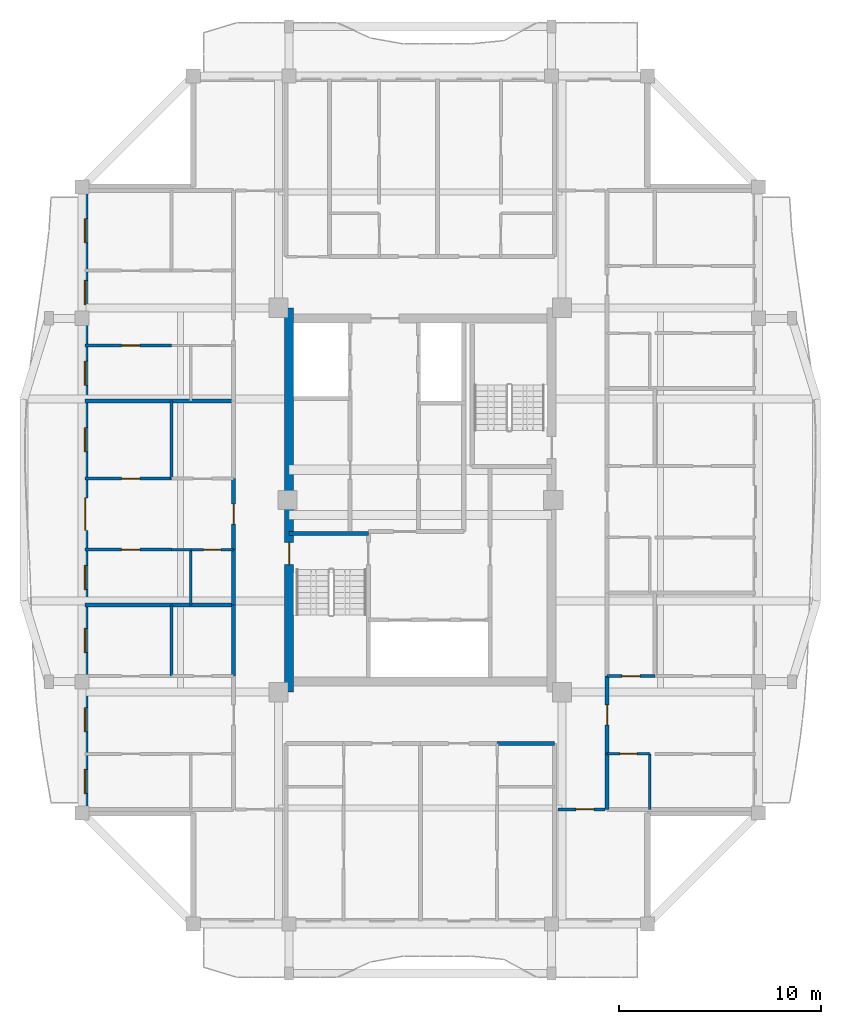
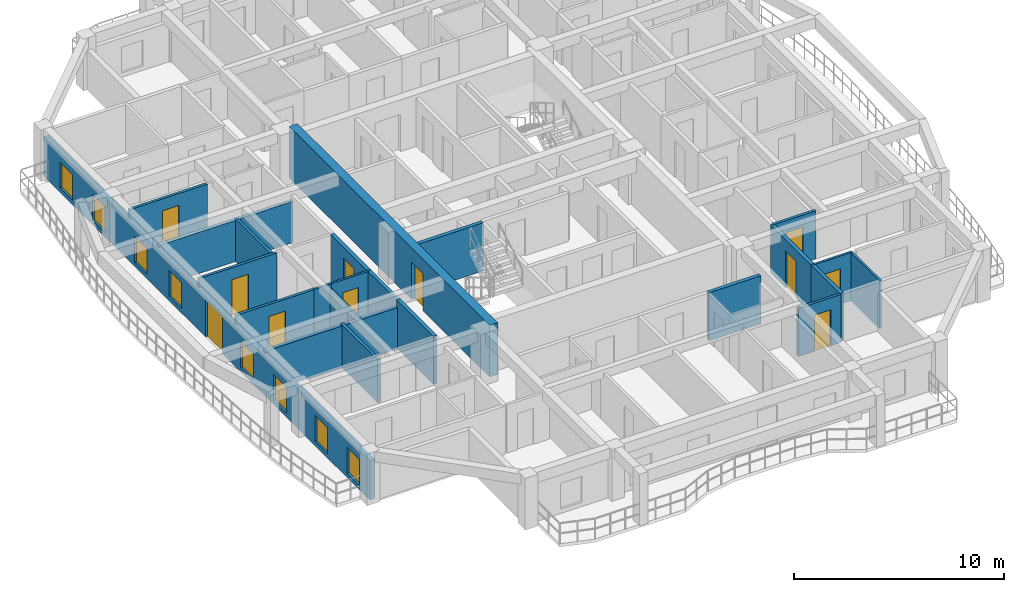
# One storey, part 3 of 13: 23 walls, 11 doors, 8 windows, 19 openings.
"""IFC4 building model written with IfcOpenShell, lengths in metres."""

from ifc_helpers import new_model, si_unit, direction, frame, frame_2d, origin, place, context, subcontext, project, spatial, rectangle, extrude, source, transform, mapped, material, layer, layer_set, type_object, element, fill, save


model = new_model("IFC4")

# Units and contexts
model_context = context("Model", 3, precision=1e-05, world=origin(), true_north=direction((0.0, 1.0)))
body_context = subcontext(model_context, "Body", "Model", "MODEL_VIEW")
ifc_project = project(units=[si_unit("LENGTHUNIT", "METRE"), si_unit("AREAUNIT", "SQUARE_METRE"), si_unit("VOLUMEUNIT", "CUBIC_METRE"), si_unit("PLANEANGLEUNIT", "RADIAN"), si_unit("MASSUNIT", "GRAM", prefix="KILO")], contexts=[model_context])

# Site, building, storey
site_placement = place(None, origin())
site = spatial("IfcSite", under=ifc_project, at=site_placement, CompositionType="ELEMENT")
building_placement = place(site_placement, origin())
building = spatial("IfcBuilding", under=site, at=building_placement, Name="Saelheon Loggia Tower", CompositionType="ELEMENT")
storey_placement = place(building_placement, frame((0.0, 0.0, 220.199951171875)))
storey = spatial("IfcBuildingStorey", under=building, at=storey_placement, Name="L68", CompositionType="ELEMENT", Elevation=220.199951171875)

# Wall, opening, door
ifc_material_1 = material(Name="Concrete C45/55", Category="concrete")
ifc_layer_1 = layer(ifc_material_1, 0.449951171875)
ifc_layer_set_1 = layer_set([ifc_layer_1], Name="Concrete C45/55")
wall_type_1 = type_object("IfcWallType", Name="Wall_CoreShear_450", PredefinedType="SHEAR", material=ifc_layer_set_1)
wall_1_placement = place(storey_placement, frame((31.5, 17.47998046875, 0.0), z_axis=(0.0, 0.0, 1.0), x_axis=(0.0, 1.0, 0.0)))
wall_1 = element("IfcWall", 1, at=wall_1_placement, inside=storey, type_object=wall_type_1, Name="L68 Core Shear Wall West", PredefinedType="SHEAR", context=body_context, shape_type="SweptSolid", body=[
    extrude(rectangle(XDim=19.0400390625, YDim=0.449951171875, at=frame_2d((9.52001953125, 0.0))), origin(), (0.0, 0.0, 1.0), 3.0),
])
opening_1_placement = place(wall_1_placement, frame((6.320068359375, 0.0, 0.0)))
opening_1 = element("IfcOpeningElement", 2, at=opening_1_placement, cuts=wall_1, Name="Opening D-FD2", PredefinedType="OPENING", context=body_context, shape_type="SweptSolid", body=[
    extrude(rectangle(XDim=1.10009765625, YDim=2.14990234375, at=frame_2d((0.550048828125, 1.074951171875))), frame((0.0, 0.237060546875, 0.0), z_axis=(0.0, -1.0, 0.0), x_axis=(1.0, 0.0, 0.0)), (0.0, 0.0, 1.0), 0.473876953125),
])
ifc_material_2 = material(Name="Galvanised Steel Fire Door", Category="steel")
door_type_1 = type_object("IfcDoorType", Name="Door_Fire_FD60_1100", OperationType="NOTDEFINED", PredefinedType="DOOR", material=ifc_material_2)
shared_shape_1 = source(origin(), body_context, "Body", "SweptSolid", [
    extrude(rectangle(XDim=1.10009765625, YDim=2.14990234375, at=frame_2d((0.550048828125, 1.074951171875))), frame((0.0, 0.02490234375, 0.0), z_axis=(0.0, -1.0, 0.0), x_axis=(1.0, 0.0, 0.0)), (0.0, 0.0, 1.0), 0.050048828125),
])
door_1_placement = place(opening_1_placement, origin())
door_1 = element("IfcDoor", 3, at=door_1_placement, inside=storey, type_object=door_type_1, Name="L68 Stair ST1 Corridor Door", OperationType="SINGLE_SWING_LEFT", OverallHeight=2.14990234375, OverallWidth=1.10009765625, PredefinedType="DOOR", context=body_context, shape_type="MappedRepresentation", body=[
    mapped(shared_shape_1, transform((0.0, 0.0, 0.0), scale=1.0)),
])
fill(opening_1, door_1)

# Wall, openings, windows, door
ifc_material_3 = material(Name="Architectural Precast Concrete C40/50", Category="concrete")
ifc_layer_2 = layer(ifc_material_3, 0.280029296875)
ifc_layer_set_2 = layer_set([ifc_layer_2], Name="Architectural Precast Concrete C40/50")
wall_type_2 = type_object("IfcWallType", Name="Wall_Ext_Loggia_280", PredefinedType="SOLIDWALL", material=ifc_layer_set_2)
wall_2_placement = place(storey_placement, frame((21.389892578125, 11.5, 0.0), z_axis=(0.0, 0.0, 1.0), x_axis=(0.0, 1.0, 0.0)))
wall_2 = element("IfcWall", 4, at=wall_2_placement, inside=storey, type_object=wall_type_2, Name="L68 West Loggia Inner Wall", PredefinedType="SOLIDWALL", context=body_context, shape_type="SweptSolid", body=[
    extrude(rectangle(XDim=31.0, YDim=0.280029296875, at=frame_2d((15.5, 0.0))), origin(), (0.0, 0.0, 1.0), 2.280029296875),
])
opening_2_placement = place(wall_2_placement, frame((0.9599609375, 0.0, 0.25)))
opening_2 = element("IfcOpeningElement", 5, at=opening_2_placement, cuts=wall_2, Name="Opening WN-03", PredefinedType="OPENING", context=body_context, shape_type="SweptSolid", body=[
    extrude(rectangle(XDim=1.199951171875, YDim=1.5, at=frame_2d((0.60009765625, 0.75))), frame((0.0, 0.152099609375, 0.0), z_axis=(0.0, -1.0, 0.0), x_axis=(1.0, 0.0, 0.0)), (0.0, 0.0, 1.0), 0.303955078125),
])
opening_3_placement = place(wall_2_placement, frame((4.02001953125, 0.0, 0.25)))
opening_3 = element("IfcOpeningElement", 6, at=opening_3_placement, cuts=wall_2, Name="Opening WN-03", PredefinedType="OPENING", context=body_context, shape_type="SweptSolid", body=[
    extrude(rectangle(XDim=1.199951171875, YDim=1.5, at=frame_2d((0.60009765625, 0.75))), frame((0.0, 0.152099609375, 0.0), z_axis=(0.0, -1.0, 0.0), x_axis=(1.0, 0.0, 0.0)), (0.0, 0.0, 1.0), 0.303955078125),
])
opening_4_placement = place(wall_2_placement, frame((7.935546875, 0.0, 0.25)))
opening_4 = element("IfcOpeningElement", 7, at=opening_4_placement, cuts=wall_2, Name="Opening WN-03", PredefinedType="OPENING", context=body_context, shape_type="SweptSolid", body=[
    extrude(rectangle(XDim=1.199951171875, YDim=1.5, at=frame_2d((0.60009765625, 0.75))), frame((0.0, 0.152099609375, 0.0), z_axis=(0.0, -1.0, 0.0), x_axis=(1.0, 0.0, 0.0)), (0.0, 0.0, 1.0), 0.303955078125),
])
opening_5_placement = place(wall_2_placement, frame((11.066162109375, 0.0, 0.25)))
opening_5 = element("IfcOpeningElement", 8, at=opening_5_placement, cuts=wall_2, Name="Opening WN-03", PredefinedType="OPENING", context=body_context, shape_type="SweptSolid", body=[
    extrude(rectangle(XDim=1.199951171875, YDim=1.5, at=frame_2d((0.60009765625, 0.75))), frame((0.0, 0.152099609375, 0.0), z_axis=(0.0, -1.0, 0.0), x_axis=(1.0, 0.0, 0.0)), (0.0, 0.0, 1.0), 0.303955078125),
])
opening_6_placement = place(wall_2_placement, frame((14.00048828125, 0.0, 0.0)))
opening_6 = element("IfcOpeningElement", 9, at=opening_6_placement, cuts=wall_2, Name="Opening DLG-1", PredefinedType="OPENING", context=body_context, shape_type="SweptSolid", body=[
    extrude(rectangle(XDim=1.60009765625, YDim=2.14990234375, at=frame_2d((0.800048828125, 1.074951171875))), frame((0.0, 0.152099609375, 0.0), z_axis=(0.0, -1.0, 0.0), x_axis=(1.0, 0.0, 0.0)), (0.0, 0.0, 1.0), 0.303955078125),
])
opening_7_placement = place(wall_2_placement, frame((17.881103515625, 0.0, 0.25)))
opening_7 = element("IfcOpeningElement", 10, at=opening_7_placement, cuts=wall_2, Name="Opening WN-03", PredefinedType="OPENING", context=body_context, shape_type="SweptSolid", body=[
    extrude(rectangle(XDim=1.199951171875, YDim=1.5, at=frame_2d((0.60009765625, 0.75))), frame((0.0, 0.152099609375, 0.0), z_axis=(0.0, -1.0, 0.0), x_axis=(1.0, 0.0, 0.0)), (0.0, 0.0, 1.0), 0.303955078125),
])
opening_8_placement = place(wall_2_placement, frame((21.177490234375, 0.0, 0.25)))
opening_8 = element("IfcOpeningElement", 11, at=opening_8_placement, cuts=wall_2, Name="Opening WN-03", PredefinedType="OPENING", context=body_context, shape_type="SweptSolid", body=[
    extrude(rectangle(XDim=1.199951171875, YDim=1.5, at=frame_2d((0.60009765625, 0.75))), frame((0.0, 0.152099609375, 0.0), z_axis=(0.0, -1.0, 0.0), x_axis=(1.0, 0.0, 0.0)), (0.0, 0.0, 1.0), 0.303955078125),
])
opening_9_placement = place(wall_2_placement, frame((25.175537109375, 0.0, 0.25)))
opening_9 = element("IfcOpeningElement", 12, at=opening_9_placement, cuts=wall_2, Name="Opening WN-03", PredefinedType="OPENING", context=body_context, shape_type="SweptSolid", body=[
    extrude(rectangle(XDim=1.199951171875, YDim=1.5, at=frame_2d((0.60009765625, 0.75))), frame((0.0, 0.152099609375, 0.0), z_axis=(0.0, -1.0, 0.0), x_axis=(1.0, 0.0, 0.0)), (0.0, 0.0, 1.0), 0.303955078125),
])
opening_10_placement = place(wall_2_placement, frame((28.235595703125, 0.0, 0.25)))
opening_10 = element("IfcOpeningElement", 13, at=opening_10_placement, cuts=wall_2, Name="Opening WN-03", PredefinedType="OPENING", context=body_context, shape_type="SweptSolid", body=[
    extrude(rectangle(XDim=1.199951171875, YDim=1.5, at=frame_2d((0.60009765625, 0.75))), frame((0.0, 0.152099609375, 0.0), z_axis=(0.0, -1.0, 0.0), x_axis=(1.0, 0.0, 0.0)), (0.0, 0.0, 1.0), 0.303955078125),
])
ifc_material_4 = material(Name="Thermal-Break Aluminium and Triple Low-E Glass", Category="aluminium")
window_type = type_object("IfcWindowType", Name="Win_Bedroom_1200x1500", PartitioningType="SINGLE_PANEL", PredefinedType="WINDOW", material=ifc_material_4)
shared_shape_2 = source(origin(), body_context, "Body", "SweptSolid", [
    extrude(rectangle(XDim=1.199951171875, YDim=1.5, at=frame_2d((0.60009765625, 0.75))), frame((0.0, 0.030029296875, 0.0), z_axis=(0.0, -1.0, 0.0), x_axis=(1.0, 0.0, 0.0)), (0.0, 0.0, 1.0), 0.06005859375),
])
window_1_placement = place(opening_2_placement, origin())
window_1 = element("IfcWindow", 14, at=window_1_placement, inside=storey, type_object=window_type, Name="L68 W Dwelling Window 1", OverallHeight=1.5, OverallWidth=1.199951171875, PartitioningType="SINGLE_PANEL", PredefinedType="WINDOW", context=body_context, shape_type="MappedRepresentation", body=[
    mapped(shared_shape_2, transform((0.0, 0.0, 0.0), scale=1.0)),
])
fill(opening_2, window_1)
window_2_placement = place(opening_3_placement, origin())
window_2 = element("IfcWindow", 15, at=window_2_placement, inside=storey, type_object=window_type, Name="L68 W Dwelling Window 2", OverallHeight=1.5, OverallWidth=1.199951171875, PartitioningType="SINGLE_PANEL", PredefinedType="WINDOW", context=body_context, shape_type="MappedRepresentation", body=[
    mapped(shared_shape_2, transform((0.0, 0.0, 0.0), scale=1.0)),
])
fill(opening_3, window_2)
window_3_placement = place(opening_4_placement, origin())
window_3 = element("IfcWindow", 16, at=window_3_placement, inside=storey, type_object=window_type, Name="L68 W Dwelling Window 3", OverallHeight=1.5, OverallWidth=1.199951171875, PartitioningType="SINGLE_PANEL", PredefinedType="WINDOW", context=body_context, shape_type="MappedRepresentation", body=[
    mapped(shared_shape_2, transform((0.0, 0.0, 0.0), scale=1.0)),
])
fill(opening_4, window_3)
window_4_placement = place(opening_5_placement, origin())
window_4 = element("IfcWindow", 17, at=window_4_placement, inside=storey, type_object=window_type, Name="L68 W Dwelling Window 4", OverallHeight=1.5, OverallWidth=1.199951171875, PartitioningType="SINGLE_PANEL", PredefinedType="WINDOW", context=body_context, shape_type="MappedRepresentation", body=[
    mapped(shared_shape_2, transform((0.0, 0.0, 0.0), scale=1.0)),
])
fill(opening_5, window_4)
window_5_placement = place(opening_7_placement, origin())
window_5 = element("IfcWindow", 18, at=window_5_placement, inside=storey, type_object=window_type, Name="L68 W Dwelling Window 6", OverallHeight=1.5, OverallWidth=1.199951171875, PartitioningType="SINGLE_PANEL", PredefinedType="WINDOW", context=body_context, shape_type="MappedRepresentation", body=[
    mapped(shared_shape_2, transform((0.0, 0.0, 0.0), scale=1.0)),
])
fill(opening_7, window_5)
window_6_placement = place(opening_8_placement, origin())
window_6 = element("IfcWindow", 19, at=window_6_placement, inside=storey, type_object=window_type, Name="L68 W Dwelling Window 7", OverallHeight=1.5, OverallWidth=1.199951171875, PartitioningType="SINGLE_PANEL", PredefinedType="WINDOW", context=body_context, shape_type="MappedRepresentation", body=[
    mapped(shared_shape_2, transform((0.0, 0.0, 0.0), scale=1.0)),
])
fill(opening_8, window_6)
window_7_placement = place(opening_9_placement, origin())
window_7 = element("IfcWindow", 20, at=window_7_placement, inside=storey, type_object=window_type, Name="L68 W Dwelling Window 8", OverallHeight=1.5, OverallWidth=1.199951171875, PartitioningType="SINGLE_PANEL", PredefinedType="WINDOW", context=body_context, shape_type="MappedRepresentation", body=[
    mapped(shared_shape_2, transform((0.0, 0.0, 0.0), scale=1.0)),
])
fill(opening_9, window_7)
window_8_placement = place(opening_10_placement, origin())
window_8 = element("IfcWindow", 21, at=window_8_placement, inside=storey, type_object=window_type, Name="L68 W Dwelling Window 9", OverallHeight=1.5, OverallWidth=1.199951171875, PartitioningType="SINGLE_PANEL", PredefinedType="WINDOW", context=body_context, shape_type="MappedRepresentation", body=[
    mapped(shared_shape_2, transform((0.0, 0.0, 0.0), scale=1.0)),
])
fill(opening_10, window_8)
ifc_material_5 = material(Name="Thermal-Break Aluminium Sliding Glazed Door", Category="aluminium")
door_type_2 = type_object("IfcDoorType", Name="Door_LoggiaSlide_1600", OperationType="SLIDING_TO_LEFT", PredefinedType="DOOR", material=ifc_material_5)
shared_shape_3 = source(origin(), body_context, "Body", "SweptSolid", [
    extrude(rectangle(XDim=1.60009765625, YDim=2.14990234375, at=frame_2d((0.800048828125, 1.074951171875))), frame((0.0, 0.02490234375, 0.0), z_axis=(0.0, -1.0, 0.0), x_axis=(1.0, 0.0, 0.0)), (0.0, 0.0, 1.0), 0.050048828125),
])
door_2_placement = place(opening_6_placement, origin())
door_2 = element("IfcDoor", 22, at=door_2_placement, inside=storey, type_object=door_type_2, Name="L68 W Loggia Access Door", OperationType="SLIDING_TO_LEFT", OverallHeight=2.14990234375, OverallWidth=1.60009765625, PredefinedType="DOOR", context=body_context, shape_type="MappedRepresentation", body=[
    mapped(shared_shape_3, transform((0.0, 0.0, 0.0), scale=1.0)),
])
fill(opening_6, door_2)

# Wall, opening, door
ifc_material_6 = material(Name="Lightweight Autoclaved Aerated Concrete Block and Acoustic Gypsum", Category="concrete")
ifc_layer_3 = layer(ifc_material_6, 0.14990234375)
ifc_layer_set_3 = layer_set([ifc_layer_3], Name="Lightweight Autoclaved Aerated Concrete Block and Acoustic Gypsum")
wall_type_3 = type_object("IfcWallType", Name="Wall_Part_150", PredefinedType="PARTITIONING", material=ifc_layer_set_3)
wall_3_placement = place(storey_placement, frame((44.820068359375, 11.679931640625, 0.0), z_axis=(0.0, 0.0, 1.0), x_axis=(1.0, 0.0, 0.0)))
wall_3 = element("IfcWall", 23, at=wall_3_placement, inside=storey, type_object=wall_type_3, Name="PW-L68-CSE-H", PredefinedType="PARTITIONING", context=body_context, shape_type="SweptSolid", body=[
    extrude(rectangle(XDim=2.329833984375, YDim=0.14990234375, at=frame_2d((1.1650390625, 0.0))), origin(), (0.0, 0.0, 1.0), 2.7900390625),
])
opening_11_placement = place(wall_3_placement, frame((0.8798828125, 0.0, 0.0)))
opening_11 = element("IfcOpeningElement", 24, at=opening_11_placement, cuts=wall_3, Name="Opening D-IN2", PredefinedType="OPENING", context=body_context, shape_type="SweptSolid", body=[
    extrude(rectangle(XDim=0.89990234375, YDim=2.10009765625, at=frame_2d((0.449951171875, 1.050048828125))), frame((0.0, 0.0869140625, 0.0), z_axis=(0.0, -1.0, 0.0), x_axis=(1.0, 0.0, 0.0)), (0.0, 0.0, 1.0), 0.173828125),
])
ifc_material_7 = material(Name="Engineered Oak Flush Door", Category="timber")
door_type_3 = type_object("IfcDoorType", Name="Door_Int_900", OperationType="NOTDEFINED", PredefinedType="DOOR", material=ifc_material_7)
shared_shape_4 = source(origin(), body_context, "Body", "SweptSolid", [
    extrude(rectangle(XDim=0.89990234375, YDim=2.10009765625, at=frame_2d((0.449951171875, 1.050048828125))), frame((0.0, 0.02490234375, 0.0), z_axis=(0.0, -1.0, 0.0), x_axis=(1.0, 0.0, 0.0)), (0.0, 0.0, 1.0), 0.050048828125),
])
door_3_placement = place(opening_11_placement, origin())
door_3 = element("IfcDoor", 25, at=door_3_placement, inside=storey, type_object=door_type_3, Name="L68 Corner Reading Room SE Door", OperationType="SINGLE_SWING_RIGHT", OverallHeight=2.10009765625, OverallWidth=0.89990234375, PredefinedType="DOOR", context=body_context, shape_type="MappedRepresentation", body=[
    mapped(shared_shape_4, transform((0.0, 0.0, 0.0), scale=1.0)),
])
fill(opening_11, door_3)

# Walls
wall_4_placement = place(storey_placement, frame((25.669921875, 18.280029296875, 0.0), z_axis=(0.0, 0.0, 1.0), x_axis=(0.0, 1.0, 0.0)))
element("IfcWall", 26, at=wall_4_placement, inside=storey, type_object=wall_type_3, Name="L68 W Partition V07", PredefinedType="PARTITIONING", context=body_context, shape_type="SweptSolid", body=[
    extrude(rectangle(XDim=3.51123046875, YDim=0.14990234375, at=frame_2d((1.755615234375, 0.0))), origin(), (0.0, 0.0, 1.0), 2.489990234375),
])
wall_5_placement = place(storey_placement, frame((25.669921875, 28.06005859375, 0.0), z_axis=(0.0, 0.0, 1.0), x_axis=(0.0, 1.0, 0.0)))
element("IfcWall", 27, at=wall_5_placement, inside=storey, type_object=wall_type_3, Name="L68 W Partition V18", PredefinedType="PARTITIONING", context=body_context, shape_type="SweptSolid", body=[
    extrude(rectangle(XDim=3.84228515625, YDim=0.14990234375, at=frame_2d((1.921142578125, 0.0))), origin(), (0.0, 0.0, 1.0), 2.489990234375),
])

# Wall, opening, door
wall_6_placement = place(storey_placement, frame((25.669921875, 24.541259765625, 0.0), z_axis=(0.0, 0.0, 1.0), x_axis=(-1.0, 0.0, 0.0)))
wall_6 = element("IfcWall", 28, at=wall_6_placement, inside=storey, type_object=wall_type_3, Name="L68 W Partition U21", PredefinedType="PARTITIONING", context=body_context, shape_type="SweptSolid", body=[
    extrude(rectangle(XDim=4.27001953125, YDim=0.14990234375, at=frame_2d((2.135009765625, 0.0))), origin(), (0.0, 0.0, 1.0), 2.7900390625),
])
opening_12_placement = place(wall_6_placement, frame((1.564697265625, 0.0, 0.0)))
opening_12 = element("IfcOpeningElement", 29, at=opening_12_placement, cuts=wall_6, Name="Opening D-IN2", PredefinedType="OPENING", context=body_context, shape_type="SweptSolid", body=[
    extrude(rectangle(XDim=0.89990234375, YDim=2.10009765625, at=frame_2d((0.449951171875, 1.050048828125))), frame((0.0, 0.0869140625, 0.0), z_axis=(0.0, -1.0, 0.0), x_axis=(1.0, 0.0, 0.0)), (0.0, 0.0, 1.0), 0.173828125),
])
door_4_placement = place(opening_12_placement, origin())
door_4 = element("IfcDoor", 30, at=door_4_placement, inside=storey, type_object=door_type_3, Name="Unit U06 Kitchen Door", OperationType="SINGLE_SWING_RIGHT", OverallHeight=2.10009765625, OverallWidth=0.89990234375, PredefinedType="DOOR", context=body_context, shape_type="MappedRepresentation", body=[
    mapped(shared_shape_4, transform((0.0, 0.0, 0.0), scale=1.0)),
])
fill(opening_12, door_4)

wall_7_placement = place(storey_placement, frame((25.669921875, 28.06005859375, 0.0), z_axis=(0.0, 0.0, 1.0), x_axis=(-1.0, 0.0, 0.0)))
wall_7 = element("IfcWall", 31, at=wall_7_placement, inside=storey, type_object=wall_type_3, Name="L68 W Partition U23", PredefinedType="PARTITIONING", context=body_context, shape_type="SweptSolid", body=[
    extrude(rectangle(XDim=4.27001953125, YDim=0.14990234375, at=frame_2d((2.135009765625, 0.0))), origin(), (0.0, 0.0, 1.0), 2.7900390625),
])
opening_13_placement = place(wall_7_placement, frame((1.564697265625, 0.0, 0.0)))
opening_13 = element("IfcOpeningElement", 32, at=opening_13_placement, cuts=wall_7, Name="Opening D-IN2", PredefinedType="OPENING", context=body_context, shape_type="SweptSolid", body=[
    extrude(rectangle(XDim=0.89990234375, YDim=2.10009765625, at=frame_2d((0.449951171875, 1.050048828125))), frame((0.0, 0.0869140625, 0.0), z_axis=(0.0, -1.0, 0.0), x_axis=(1.0, 0.0, 0.0)), (0.0, 0.0, 1.0), 0.173828125),
])
door_5_placement = place(opening_13_placement, origin())
door_5 = element("IfcDoor", 33, at=door_5_placement, inside=storey, type_object=door_type_3, Name="Unit U06 Bedroom 1 Door", OperationType="SINGLE_SWING_RIGHT", OverallHeight=2.10009765625, OverallWidth=0.89990234375, PredefinedType="DOOR", context=body_context, shape_type="MappedRepresentation", body=[
    mapped(shared_shape_4, transform((0.0, 0.0, 0.0), scale=1.0)),
])
fill(opening_13, door_5)

wall_8_placement = place(storey_placement, frame((25.669921875, 34.65234375, 0.0), z_axis=(0.0, 0.0, 1.0), x_axis=(-1.0, 0.0, 0.0)))
wall_8 = element("IfcWall", 34, at=wall_8_placement, inside=storey, type_object=wall_type_3, Name="L68 W Partition U32", PredefinedType="PARTITIONING", context=body_context, shape_type="SweptSolid", body=[
    extrude(rectangle(XDim=4.27001953125, YDim=0.14990234375, at=frame_2d((2.135009765625, 0.0))), origin(), (0.0, 0.0, 1.0), 2.7900390625),
])
opening_14_placement = place(wall_8_placement, frame((1.564697265625, 0.0, 0.0)))
opening_14 = element("IfcOpeningElement", 35, at=opening_14_placement, cuts=wall_8, Name="Opening D-IN2", PredefinedType="OPENING", context=body_context, shape_type="SweptSolid", body=[
    extrude(rectangle(XDim=0.89990234375, YDim=2.10009765625, at=frame_2d((0.449951171875, 1.050048828125))), frame((0.0, 0.0869140625, 0.0), z_axis=(0.0, -1.0, 0.0), x_axis=(1.0, 0.0, 0.0)), (0.0, 0.0, 1.0), 0.173828125),
])
door_6_placement = place(opening_14_placement, origin())
door_6 = element("IfcDoor", 36, at=door_6_placement, inside=storey, type_object=door_type_3, Name="Unit U07 Kitchen Door", OperationType="SINGLE_SWING_LEFT", OverallHeight=2.10009765625, OverallWidth=0.89990234375, PredefinedType="DOOR", context=body_context, shape_type="MappedRepresentation", body=[
    mapped(shared_shape_4, transform((0.0, 0.0, 0.0), scale=1.0)),
])
fill(opening_14, door_6)

wall_9_placement = place(storey_placement, frame((47.25, 18.280029296875, 0.0), z_axis=(0.0, 0.0, 1.0), x_axis=(1.0, 0.0, 0.0)))
wall_9 = element("IfcWall", 37, at=wall_9_placement, inside=storey, type_object=wall_type_3, Name="L68 E Partition U10", PredefinedType="PARTITIONING", context=body_context, shape_type="SweptSolid", body=[
    extrude(rectangle(XDim=2.360107421875, YDim=0.14990234375, at=frame_2d((1.18017578125, 0.0))), origin(), (0.0, 0.0, 1.0), 2.7900390625),
])
opening_15_placement = place(wall_9_placement, frame((0.72998046875, 0.0, 0.0)))
opening_15 = element("IfcOpeningElement", 38, at=opening_15_placement, cuts=wall_9, Name="Opening D-IN2", PredefinedType="OPENING", context=body_context, shape_type="SweptSolid", body=[
    extrude(rectangle(XDim=0.89990234375, YDim=2.10009765625, at=frame_2d((0.449951171875, 1.050048828125))), frame((0.0, 0.0869140625, 0.0), z_axis=(0.0, -1.0, 0.0), x_axis=(1.0, 0.0, 0.0)), (0.0, 0.0, 1.0), 0.173828125),
])
door_7_placement = place(opening_15_placement, origin())
door_7 = element("IfcDoor", 39, at=door_7_placement, inside=storey, type_object=door_type_3, Name="Unit U08 Dressing Closet Door", OperationType="SINGLE_SWING_LEFT", OverallHeight=2.10009765625, OverallWidth=0.89990234375, PredefinedType="DOOR", context=body_context, shape_type="MappedRepresentation", body=[
    mapped(shared_shape_4, transform((0.0, 0.0, 0.0), scale=1.0)),
])
fill(opening_15, door_7)

# Walls
ifc_material_8 = material(Name="Double Acoustic Stud and Fireboard Partition", Category="gypsum")
ifc_layer_4 = layer(ifc_material_8, 0.199951171875)
ifc_layer_set_4 = layer_set([ifc_layer_4], Name="Double Acoustic Stud and Fireboard Partition")
wall_type_4 = type_object("IfcWallType", Name="Wall_Party_200", PredefinedType="PARTITIONING", material=ifc_layer_set_4)
wall_10_placement = place(storey_placement, frame((41.800048828125, 14.949951171875, 0.0), z_axis=(0.0, 0.0, 1.0), x_axis=(1.0, 0.0, 0.0)))
element("IfcWall", 40, at=wall_10_placement, inside=storey, type_object=wall_type_4, Name="L68 S Partition V11", PredefinedType="PARTITIONING", context=body_context, shape_type="SweptSolid", body=[
    extrude(rectangle(XDim=2.849853515625, YDim=0.199951171875, at=frame_2d((1.4248046875, 0.0))), origin(), (0.0, 0.0, 1.0), 2.7900390625),
])
wall_11_placement = place(storey_placement, frame((28.75, 18.280029296875, 0.0), z_axis=(0.0, 0.0, 1.0), x_axis=(0.0, 1.0, 0.0)))
element("IfcWall", 41, at=wall_11_placement, inside=storey, type_object=wall_type_4, Name="L68 W Partition V05", PredefinedType="PARTITIONING", context=body_context, shape_type="SweptSolid", body=[
    extrude(rectangle(XDim=3.51123046875, YDim=0.199951171875, at=frame_2d((1.755615234375, 0.0))), origin(), (0.0, 0.0, 1.0), 2.7900390625),
])
wall_12_placement = place(storey_placement, frame((28.75, 21.791259765625, 0.0), z_axis=(0.0, 0.0, 1.0), x_axis=(-1.0, 0.0, 0.0)))
element("IfcWall", 42, at=wall_12_placement, inside=storey, type_object=wall_type_4, Name="L68 W Partition U13", PredefinedType="PARTITIONING", context=body_context, shape_type="SweptSolid", body=[
    extrude(rectangle(XDim=7.35009765625, YDim=0.199951171875, at=frame_2d((3.675048828125, 0.0))), origin(), (0.0, 0.0, 1.0), 2.39013671875),
])
wall_13_placement = place(storey_placement, frame((28.75, 21.791259765625, 0.0), z_axis=(0.0, 0.0, 1.0), x_axis=(0.0, 1.0, 0.0)))
element("IfcWall", 43, at=wall_13_placement, inside=storey, type_object=wall_type_4, Name="L68 W Partition V14", PredefinedType="PARTITIONING", context=body_context, shape_type="SweptSolid", body=[
    extrude(rectangle(XDim=2.75, YDim=0.199951171875, at=frame_2d((1.375, 0.0))), origin(), (0.0, 0.0, 1.0), 2.7900390625),
])

# Wall, opening, door
wall_14_placement = place(storey_placement, frame((28.75, 24.541259765625, 0.0), z_axis=(0.0, 0.0, 1.0), x_axis=(0.0, 1.0, 0.0)))
wall_14 = element("IfcWall", 44, at=wall_14_placement, inside=storey, type_object=wall_type_4, Name="L68 W Partition V15", PredefinedType="PARTITIONING", context=body_context, shape_type="SweptSolid", body=[
    extrude(rectangle(XDim=3.518798828125, YDim=0.199951171875, at=frame_2d((1.75927734375, 0.0))), origin(), (0.0, 0.0, 1.0), 2.7900390625),
])
opening_16_placement = place(wall_14_placement, frame((1.259521484375, 0.0, 0.0)))
opening_16 = element("IfcOpeningElement", 45, at=opening_16_placement, cuts=wall_14, Name="Opening D-FD1", PredefinedType="OPENING", context=body_context, shape_type="SweptSolid", body=[
    extrude(rectangle(XDim=1.0, YDim=2.14990234375, at=frame_2d((0.5, 1.074951171875))), frame((0.0, 0.112060546875, 0.0), z_axis=(0.0, -1.0, 0.0), x_axis=(1.0, 0.0, 0.0)), (0.0, 0.0, 1.0), 0.223876953125),
])
ifc_material_9 = material(Name="Fire-Rated Engineered Timber Entrance Door", Category="wood")
door_type_4 = type_object("IfcDoorType", Name="Door_Flat_FD30S", OperationType="NOTDEFINED", PredefinedType="DOOR", material=ifc_material_9)
shared_shape_5 = source(origin(), body_context, "Body", "SweptSolid", [
    extrude(rectangle(XDim=1.0, YDim=2.14990234375, at=frame_2d((0.5, 1.074951171875))), frame((0.0, 0.02490234375, 0.0), z_axis=(0.0, -1.0, 0.0), x_axis=(1.0, 0.0, 0.0)), (0.0, 0.0, 1.0), 0.050048828125),
])
door_8_placement = place(opening_16_placement, origin())
door_8 = element("IfcDoor", 46, at=door_8_placement, inside=storey, type_object=door_type_4, Name="Unit U06 Entrance Door", OperationType="SINGLE_SWING_RIGHT", OverallHeight=2.14990234375, OverallWidth=1.0, PredefinedType="DOOR", context=body_context, shape_type="MappedRepresentation", body=[
    mapped(shared_shape_5, transform((0.0, 0.0, 0.0), scale=1.0)),
])
fill(opening_16, door_8)

# Walls
wall_15_placement = place(storey_placement, frame((28.75, 31.90234375, 0.0), z_axis=(0.0, 0.0, 1.0), x_axis=(-1.0, 0.0, 0.0)))
element("IfcWall", 47, at=wall_15_placement, inside=storey, type_object=wall_type_4, Name="L68 W Partition U24", PredefinedType="PARTITIONING", context=body_context, shape_type="SweptSolid", body=[
    extrude(rectangle(XDim=7.35009765625, YDim=0.199951171875, at=frame_2d((3.675048828125, 0.0))), origin(), (0.0, 0.0, 1.0), 2.39013671875),
])
wall_16_placement = place(storey_placement, frame((47.25, 11.679931640625, 0.0), z_axis=(0.0, 0.0, 1.0), x_axis=(0.0, 1.0, 0.0)))
element("IfcWall", 48, at=wall_16_placement, inside=storey, type_object=wall_type_4, Name="L68 E Partition V03", PredefinedType="PARTITIONING", context=body_context, shape_type="SweptSolid", body=[
    extrude(rectangle(XDim=2.75, YDim=0.199951171875, at=frame_2d((1.375, 0.0))), origin(), (0.0, 0.0, 1.0), 2.7900390625),
])

# Wall, opening, door
wall_17_placement = place(storey_placement, frame((47.25, 14.429931640625, 0.0), z_axis=(0.0, 0.0, 1.0), x_axis=(0.0, 1.0, 0.0)))
wall_17 = element("IfcWall", 49, at=wall_17_placement, inside=storey, type_object=wall_type_4, Name="L68 E Partition V04", PredefinedType="PARTITIONING", context=body_context, shape_type="SweptSolid", body=[
    extrude(rectangle(XDim=3.85009765625, YDim=0.199951171875, at=frame_2d((1.925048828125, 0.0))), origin(), (0.0, 0.0, 1.0), 2.7900390625),
])
opening_17_placement = place(wall_17_placement, frame((1.425048828125, 0.0, 0.0)))
opening_17 = element("IfcOpeningElement", 50, at=opening_17_placement, cuts=wall_17, Name="Opening D-FD1", PredefinedType="OPENING", context=body_context, shape_type="SweptSolid", body=[
    extrude(rectangle(XDim=1.0, YDim=2.14990234375, at=frame_2d((0.5, 1.074951171875))), frame((0.0, 0.112060546875, 0.0), z_axis=(0.0, -1.0, 0.0), x_axis=(1.0, 0.0, 0.0)), (0.0, 0.0, 1.0), 0.223876953125),
])
door_9_placement = place(opening_17_placement, origin())
door_9 = element("IfcDoor", 51, at=door_9_placement, inside=storey, type_object=door_type_4, Name="Unit U08 Entrance Door", OperationType="SINGLE_SWING_RIGHT", OverallHeight=2.14990234375, OverallWidth=1.0, PredefinedType="DOOR", context=body_context, shape_type="MappedRepresentation", body=[
    mapped(shared_shape_5, transform((0.0, 0.0, 0.0), scale=1.0)),
])
fill(opening_17, door_9)

# Walls
ifc_layer_5 = layer(ifc_material_1, 0.199951171875)
ifc_layer_set_5 = layer_set([ifc_layer_5], Name="Concrete C45/55")
wall_type_5 = type_object("IfcWallType", Name="Wall_StairShaft_RC200", PredefinedType="SOLIDWALL", material=ifc_layer_set_5)
wall_18_placement = place(storey_placement, frame((31.5, 25.35009765625, 0.0), z_axis=(0.0, 0.0, 1.0), x_axis=(1.0, 0.0, 0.0)))
element("IfcWall", 52, at=wall_18_placement, inside=storey, type_object=wall_type_5, Name="L68 Stair ST1 North Wall", PredefinedType="SOLIDWALL", context=body_context, shape_type="SweptSolid", body=[
    extrude(rectangle(XDim=3.929931640625, YDim=0.199951171875, at=frame_2d((1.96484375, 0.0))), origin(), (0.0, 0.0, 1.0), 2.7900390625),
])
ifc_material_10 = material(Name="Moisture-Resistant Cement Board Partition", Category="gypsum")
ifc_layer_6 = layer(ifc_material_10, 0.1201171875)
ifc_layer_set_6 = layer_set([ifc_layer_6], Name="Moisture-Resistant Cement Board Partition")
wall_type_6 = type_object("IfcWallType", Name="Wall_WetPart_120", PredefinedType="PARTITIONING", material=ifc_layer_set_6)
wall_19_placement = place(storey_placement, frame((26.6298828125, 21.791259765625, 0.0), z_axis=(0.0, 0.0, 1.0), x_axis=(0.0, 1.0, 0.0)))
element("IfcWall", 53, at=wall_19_placement, inside=storey, type_object=wall_type_6, Name="L68 W Partition V17", PredefinedType="PARTITIONING", context=body_context, shape_type="SweptSolid", body=[
    extrude(rectangle(XDim=2.75, YDim=0.1201171875, at=frame_2d((1.375, 0.0))), origin(), (0.0, 0.0, 1.0), 2.489990234375),
])

# Wall, opening, door
wall_20_placement = place(storey_placement, frame((28.75, 24.541259765625, 0.0), z_axis=(0.0, 0.0, 1.0), x_axis=(-1.0, 0.0, 0.0)))
wall_20 = element("IfcWall", 54, at=wall_20_placement, inside=storey, type_object=wall_type_6, Name="L68 W Partition U19", PredefinedType="PARTITIONING", context=body_context, shape_type="SweptSolid", body=[
    extrude(rectangle(XDim=2.1201171875, YDim=0.1201171875, at=frame_2d((1.06005859375, 0.0))), origin(), (0.0, 0.0, 1.0), 2.7900390625),
])
opening_18_placement = place(wall_20_placement, frame((0.635009765625, 0.0, 0.0)))
opening_18 = element("IfcOpeningElement", 55, at=opening_18_placement, cuts=wall_20, Name="Opening D-BT1", PredefinedType="OPENING", context=body_context, shape_type="SweptSolid", body=[
    extrude(rectangle(XDim=0.85009765625, YDim=2.050048828125, at=frame_2d((0.425048828125, 1.02490234375))), frame((0.0, 0.072021484375, 0.0), z_axis=(0.0, -1.0, 0.0), x_axis=(1.0, 0.0, 0.0)), (0.0, 0.0, 1.0), 0.14404296875),
])
ifc_material_11 = material(Name="Moisture-Resistant Laminate Timber Door", Category="wood")
door_type_5 = type_object("IfcDoorType", Name="Door_Bath_850", OperationType="NOTDEFINED", PredefinedType="DOOR", material=ifc_material_11)
shared_shape_6 = source(origin(), body_context, "Body", "SweptSolid", [
    extrude(rectangle(XDim=0.85009765625, YDim=2.050048828125, at=frame_2d((0.425048828125, 1.02490234375))), frame((0.0, 0.02490234375, 0.0), z_axis=(0.0, -1.0, 0.0), x_axis=(1.0, 0.0, 0.0)), (0.0, 0.0, 1.0), 0.050048828125),
])
door_10_placement = place(opening_18_placement, origin())
door_10 = element("IfcDoor", 56, at=door_10_placement, inside=storey, type_object=door_type_5, Name="Unit U06 Bathroom Door", OperationType="SINGLE_SWING_LEFT", OverallHeight=2.050048828125, OverallWidth=0.85009765625, PredefinedType="DOOR", context=body_context, shape_type="MappedRepresentation", body=[
    mapped(shared_shape_6, transform((0.0, 0.0, 0.0), scale=1.0)),
])
fill(opening_18, door_10)

# Walls
wall_21_placement = place(storey_placement, frame((26.6298828125, 24.541259765625, 0.0), z_axis=(0.0, 0.0, 1.0), x_axis=(-1.0, 0.0, 0.0)))
element("IfcWall", 57, at=wall_21_placement, inside=storey, type_object=wall_type_6, Name="L68 W Partition U20", PredefinedType="PARTITIONING", context=body_context, shape_type="SweptSolid", body=[
    extrude(rectangle(XDim=0.9599609375, YDim=0.1201171875, at=frame_2d((0.47998046875, 0.0))), origin(), (0.0, 0.0, 1.0), 2.7900390625),
])
wall_22_placement = place(storey_placement, frame((49.3701171875, 11.679931640625, 0.0), z_axis=(0.0, 0.0, 1.0), x_axis=(0.0, 1.0, 0.0)))
element("IfcWall", 58, at=wall_22_placement, inside=storey, type_object=wall_type_6, Name="L68 E Partition V06", PredefinedType="PARTITIONING", context=body_context, shape_type="SweptSolid", body=[
    extrude(rectangle(XDim=2.75, YDim=0.1201171875, at=frame_2d((1.375, 0.0))), origin(), (0.0, 0.0, 1.0), 2.7900390625),
])

# Wall, opening, door
wall_23_placement = place(storey_placement, frame((47.25, 14.429931640625, 0.0), z_axis=(0.0, 0.0, 1.0), x_axis=(1.0, 0.0, 0.0)))
wall_23 = element("IfcWall", 59, at=wall_23_placement, inside=storey, type_object=wall_type_6, Name="L68 E Partition U08", PredefinedType="PARTITIONING", context=body_context, shape_type="SweptSolid", body=[
    extrude(rectangle(XDim=2.1201171875, YDim=0.1201171875, at=frame_2d((1.06005859375, 0.0))), origin(), (0.0, 0.0, 1.0), 2.7900390625),
])
opening_19_placement = place(wall_23_placement, frame((0.635009765625, 0.0, 0.0)))
opening_19 = element("IfcOpeningElement", 60, at=opening_19_placement, cuts=wall_23, Name="Opening D-BT1", PredefinedType="OPENING", context=body_context, shape_type="SweptSolid", body=[
    extrude(rectangle(XDim=0.85009765625, YDim=2.050048828125, at=frame_2d((0.425048828125, 1.02490234375))), frame((0.0, 0.072021484375, 0.0), z_axis=(0.0, -1.0, 0.0), x_axis=(1.0, 0.0, 0.0)), (0.0, 0.0, 1.0), 0.14404296875),
])
door_11_placement = place(opening_19_placement, origin())
door_11 = element("IfcDoor", 61, at=door_11_placement, inside=storey, type_object=door_type_5, Name="Unit U08 Bathroom Door", OperationType="SINGLE_SWING_LEFT", OverallHeight=2.050048828125, OverallWidth=0.85009765625, PredefinedType="DOOR", context=body_context, shape_type="MappedRepresentation", body=[
    mapped(shared_shape_6, transform((0.0, 0.0, 0.0), scale=1.0)),
])
fill(opening_19, door_11)

save(model, "model.ifc")
